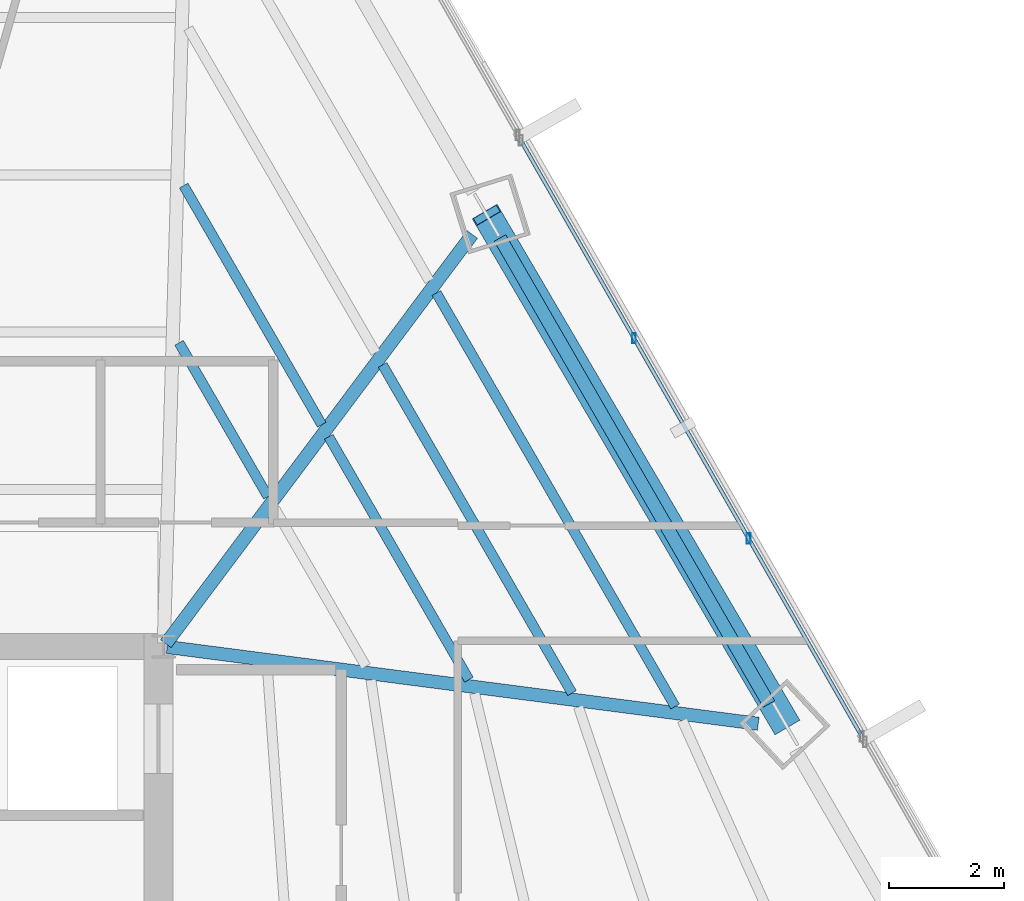
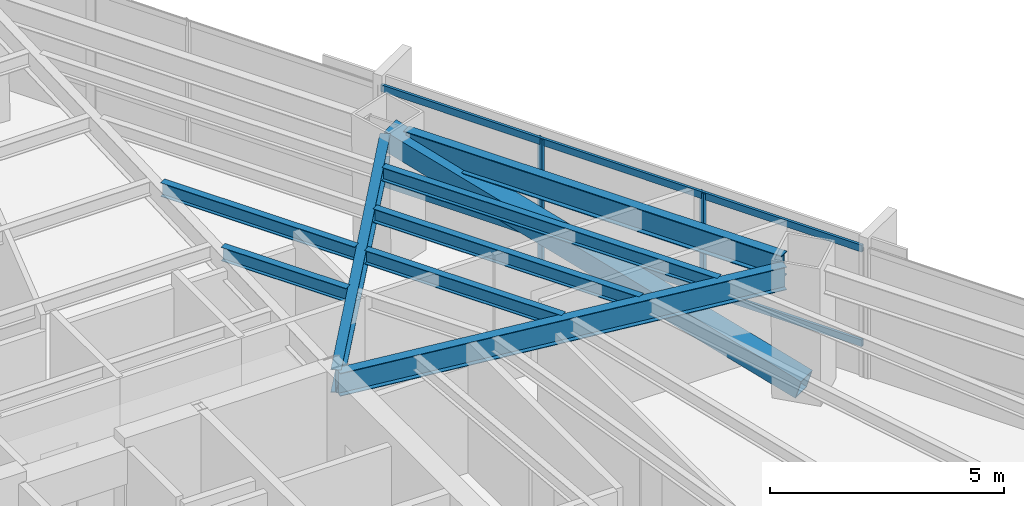
# One storey, part 22 of 36: 8 beams, 5 members, 1 element without a shape of its own.
"""IFC4 building model written with IfcOpenShell, lengths in metres."""

from ifc_helpers import new_model, si_unit, direction, frame, origin, origin_2d, place, context, subcontext, project, spatial, hollow_rectangle, i_section, extrude, source, transform, mapped, material, material_profile, profile_set, type_object, type_shapes, element, aggregate, save


model = new_model("IFC4")

# Units and contexts
model_context = context("Model", 3, precision=1e-05, world=origin(), true_north=direction((0.0, 1.0)))
body_context = subcontext(model_context, "Body", "Model", "MODEL_VIEW")
ifc_project = project(units=[si_unit("LENGTHUNIT", "METRE"), si_unit("AREAUNIT", "SQUARE_METRE"), si_unit("VOLUMEUNIT", "CUBIC_METRE"), si_unit("PLANEANGLEUNIT", "RADIAN"), si_unit("MASSUNIT", "GRAM", prefix="KILO")], contexts=[model_context])

# Site, building, storey
site_placement = place(None, origin())
site = spatial("IfcSite", under=ifc_project, at=site_placement, CompositionType="ELEMENT")
building_placement = place(site_placement, origin())
building = spatial("IfcBuilding", under=site, at=building_placement, Name="Caelisora Broadcast Tower", CompositionType="ELEMENT")
storey_placement = place(building_placement, frame((0.0, 0.0, 79.85009765625)))
storey = spatial("IfcBuildingStorey", under=building, at=storey_placement, Name="L20", CompositionType="ELEMENT", Elevation=79.85009765625)

# Beams
ifc_material_1 = material(Name="Steel Grade 350 (AS/NZS 3679.1)", Category="steel")
ifc_material_profile_1 = material_profile(ifc_material_1, i_section(OverallWidth=0.172119140625, OverallDepth=0.358642578125, WebThickness=0.008056640625, FlangeThickness=0.012939453125, at=origin_2d()), Name="Steel Grade 350 (AS/NZS 3679.1)")
ifc_profile_set_1 = profile_set([ifc_material_profile_1], Name="Steel Grade 350 (AS/NZS 3679.1)")
beam_type_1 = type_object("IfcBeamType", Name="SB02", PredefinedType="JOIST", material=ifc_profile_set_1)
shared_shape_1 = source(origin(), body_context, "Body", "SweptSolid", [
    extrude(i_section(OverallWidth=0.172119140625, OverallDepth=0.358642578125, WebThickness=0.008056640625, FlangeThickness=0.012939453125, at=origin_2d()), origin(), (0.0, 0.0, 1.0), 8.285888671875),
])
beam_1_placement = place(storey_placement, frame((54.373779296875, 28.959228515625, 3.220703125), z_axis=(-0.499989412232, 0.866031516549, 0.0), x_axis=(-0.866031516549, -0.499989412232, 0.0)))
element("IfcBeam", 1, at=beam_1_placement, inside=storey, type_object=beam_type_1, Name="L20 beam SB02", PredefinedType="JOIST", context=body_context, shape_type="MappedRepresentation", body=[
    mapped(shared_shape_1, transform((0.0, 0.0, 0.0), scale=1.0)),
])
ifc_material_profile_2 = material_profile(ifc_material_1, i_section(OverallWidth=0.22900390625, OverallDepth=0.611572265625, WebThickness=0.011962890625, FlangeThickness=0.01953125, at=origin_2d()), Name="Steel Grade 350 (AS/NZS 3679.1)")
ifc_profile_set_2 = profile_set([ifc_material_profile_2], Name="Steel Grade 350 (AS/NZS 3679.1)")
beam_type_2 = type_object("IfcBeamType", Name="PG03", PredefinedType="BEAM", material=ifc_profile_set_2)
shared_shape_2 = source(origin(), body_context, "Body", "SweptSolid", [
    extrude(i_section(OverallWidth=0.22900390625, OverallDepth=0.611572265625, WebThickness=0.011962890625, FlangeThickness=0.01953125, at=origin_2d()), origin(), (0.0, 0.0, 1.0), 9.336669921875),
])
type_shapes(beam_type_2, [shared_shape_2])
beam_2_placement = place(storey_placement, frame((56.0029296875, 29.00341796875, 3.093994140625), z_axis=(-0.499983508464, 0.866034924968, 0.0), x_axis=(-0.866034924968, -0.499983508464, 0.0)))
element("IfcBeam", 2, at=beam_2_placement, inside=storey, type_object=beam_type_2, Name="L20 beam PG03", PredefinedType="BEAM", context=body_context, shape_type="MappedRepresentation", body=[
    mapped(shared_shape_2, transform((0.0, 0.0, 0.0), scale=1.0)),
])
ifc_material_profile_3 = material_profile(ifc_material_1, i_section(OverallWidth=0.22802734375, OverallDepth=0.602294921875, WebThickness=0.010498046875, FlangeThickness=0.014892578125, at=origin_2d()), Name="Steel Grade 350 (AS/NZS 3679.1)")
ifc_profile_set_3 = profile_set([ifc_material_profile_3], Name="Steel Grade 350 (AS/NZS 3679.1)")
beam_type_3 = type_object("IfcBeamType", Name="PG04", PredefinedType="BEAM", material=ifc_profile_set_3)
shared_shape_3 = source(origin(), body_context, "Body", "SweptSolid", [
    extrude(i_section(OverallWidth=0.22802734375, OverallDepth=0.602294921875, WebThickness=0.010498046875, FlangeThickness=0.014892578125, at=origin_2d()), origin(), (0.0, 0.0, 1.0), 8.873046875),
])
beam_3_placement = place(storey_placement, frame((45.535888671875, 30.048095703125, 3.098876953125), z_axis=(0.599224892017, 0.800580744702, 0.0), x_axis=(-0.800580744702, 0.599224892017, 0.0)))
element("IfcBeam", 3, at=beam_3_placement, inside=storey, type_object=beam_type_3, Name="L20 beam PG04", PredefinedType="BEAM", context=body_context, shape_type="MappedRepresentation", body=[
    mapped(shared_shape_3, transform((0.0, 0.0, 0.0), scale=1.0)),
])
shared_shape_4 = source(origin(), body_context, "Body", "SweptSolid", [
    extrude(i_section(OverallWidth=0.22802734375, OverallDepth=0.602294921875, WebThickness=0.010498046875, FlangeThickness=0.014892578125, at=origin_2d()), origin(), (0.0, 0.0, 1.0), 10.343017578125),
])
type_shapes(beam_type_3, [shared_shape_3, shared_shape_4])
beam_4_placement = place(storey_placement, frame((45.5595703125, 29.9921875, 3.098876953125), z_axis=(0.991660324062, -0.128879019551, 0.0), x_axis=(0.128879019551, 0.991660324062, 0.0)))
element("IfcBeam", 4, at=beam_4_placement, inside=storey, type_object=beam_type_3, Name="L20 beam PG04", PredefinedType="BEAM", context=body_context, shape_type="MappedRepresentation", body=[
    mapped(shared_shape_4, transform((0.0, 0.0, 0.0), scale=1.0)),
])
shared_shape_5 = source(origin(), body_context, "Body", "SweptSolid", [
    extrude(i_section(OverallWidth=0.172119140625, OverallDepth=0.358642578125, WebThickness=0.008056640625, FlangeThickness=0.012939453125, at=origin_2d()), origin(), (0.0, 0.0, 1.0), 3.083740234375),
])
beam_5_placement = place(storey_placement, frame((47.3076171875, 32.6005859375, 3.220703125), z_axis=(-0.499962318598, 0.866047158059, 0.0), x_axis=(-0.866047158059, -0.499962318598, 0.0)))
element("IfcBeam", 5, at=beam_5_placement, inside=storey, type_object=beam_type_1, Name="L20 beam SB02", PredefinedType="JOIST", context=body_context, shape_type="MappedRepresentation", body=[
    mapped(shared_shape_5, transform((0.0, 0.0, 0.0), scale=1.0)),
])
shared_shape_6 = source(origin(), body_context, "Body", "SweptSolid", [
    extrude(i_section(OverallWidth=0.172119140625, OverallDepth=0.358642578125, WebThickness=0.008056640625, FlangeThickness=0.012939453125, at=origin_2d()), origin(), (0.0, 0.0, 1.0), 4.793212890625),
])
beam_6_placement = place(storey_placement, frame((48.24169921875, 33.8486328125, 3.220703125), z_axis=(-0.49997376998, 0.866040547164, 0.0), x_axis=(-0.866040547164, -0.49997376998, 0.0)))
element("IfcBeam", 6, at=beam_6_placement, inside=storey, type_object=beam_type_1, Name="L20 beam SB02", PredefinedType="JOIST", context=body_context, shape_type="MappedRepresentation", body=[
    mapped(shared_shape_6, transform((0.0, 0.0, 0.0), scale=1.0)),
])
shared_shape_7 = source(origin(), body_context, "Body", "SweptSolid", [
    extrude(i_section(OverallWidth=0.172119140625, OverallDepth=0.358642578125, WebThickness=0.008056640625, FlangeThickness=0.012939453125, at=origin_2d()), origin(), (0.0, 0.0, 1.0), 4.866943359375),
])
beam_7_placement = place(storey_placement, frame((50.796142578125, 29.42431640625, 3.220703125), z_axis=(-0.499985889493, 0.866033550336, 0.0), x_axis=(-0.866033550336, -0.499985889493, 0.0)))
element("IfcBeam", 7, at=beam_7_placement, inside=storey, type_object=beam_type_1, Name="L20 beam SB02", PredefinedType="JOIST", context=body_context, shape_type="MappedRepresentation", body=[
    mapped(shared_shape_7, transform((0.0, 0.0, 0.0), scale=1.0)),
])
shared_shape_8 = source(origin(), body_context, "Body", "SweptSolid", [
    extrude(i_section(OverallWidth=0.172119140625, OverallDepth=0.358642578125, WebThickness=0.008056640625, FlangeThickness=0.012939453125, at=origin_2d()), origin(), (0.0, 0.0, 1.0), 6.576416015625),
])
type_shapes(beam_type_1, [shared_shape_1, shared_shape_5, shared_shape_6, shared_shape_7, shared_shape_8])
beam_8_placement = place(storey_placement, frame((52.585205078125, 29.191650390625, 3.220703125), z_axis=(-0.500015951506, 0.866016193982, 0.0), x_axis=(-0.866016193982, -0.500015951506, 0.0)))
element("IfcBeam", 8, at=beam_8_placement, inside=storey, type_object=beam_type_1, Name="L20 beam SB02", PredefinedType="JOIST", context=body_context, shape_type="MappedRepresentation", body=[
    mapped(shared_shape_8, transform((0.0, 0.0, 0.0), scale=1.0)),
])

# Member
ifc_material_2 = material(Name="Steel Grade 450 L15 (AS/NZS 3678)", Category="steel")
ifc_material_profile_4 = material_profile(ifc_material_2, hollow_rectangle(XDim=0.5, YDim=0.5, WallThickness=0.02001953125, at=origin_2d()), Name="Steel Grade 450 L15 (AS/NZS 3678)")
ifc_profile_set_4 = profile_set([ifc_material_profile_4], Name="Steel Grade 450 L15 (AS/NZS 3678)")
member_type_1 = type_object("IfcMemberType", Name="BR02", PredefinedType="BRACE", material=ifc_profile_set_4)
shared_shape_9 = source(origin(), body_context, "Body", "SweptSolid", [
    extrude(hollow_rectangle(XDim=0.5, YDim=0.5, WallThickness=0.02001953125, at=origin_2d()), origin(), (0.0, 0.0, 1.0), 10.671142578125),
])
type_shapes(member_type_1, [shared_shape_9])
member_1_placement = place(storey_placement, frame((56.287353515625, 28.655517578125, 0.099853515625), z_axis=(-0.485694018015, 0.827686301274, 0.281134678665), x_axis=(-0.862471210533, -0.506106126224, 0.0)))
element("IfcMember", 9, at=member_1_placement, inside=storey, type_object=member_type_1, Name="L20 perimeter brace BR02", PredefinedType="BRACE", context=body_context, shape_type="MappedRepresentation", body=[
    mapped(shared_shape_9, transform((0.0, 0.0, 0.0), scale=1.0)),
])

# Curtain wall, members
ifc_material_3 = material(Name="Unitised Aluminium Insulated Shadow-Box Spandrel Curtain Wall", Category="aluminium")
curtain_wall_type = type_object("IfcCurtainWallType", Name="CW-SP1", PredefinedType="NOTDEFINED", material=ifc_material_3)
curtain_wall_placement = place(storey_placement, origin())
curtain_wall = element("IfcCurtainWall", 10, at=curtain_wall_placement, inside=storey, type_object=curtain_wall_type, Name="L20 curtain wall CW-SP1", PredefinedType="NOTDEFINED")
ifc_material_4 = material(Name="Aluminium 6063-T6 Anodised Terracotta Bronze", Category="aluminium")
ifc_material_profile_5 = material_profile(ifc_material_4, hollow_rectangle(XDim=0.06494140625, YDim=0.179931640625, WallThickness=0.00341796875, at=origin_2d()), Name="Aluminium 6063-T6 Anodised Terracotta Bronze")
ifc_profile_set_5 = profile_set([ifc_material_profile_5], Name="Aluminium 6063-T6 Anodised Terracotta Bronze")
member_type_2 = type_object("IfcMemberType", Name="CWM-02", PredefinedType="MULLION", material=ifc_profile_set_5)
shared_shape_10 = source(origin(), body_context, "Body", "SweptSolid", [
    extrude(hollow_rectangle(XDim=0.06494140625, YDim=0.179931640625, WallThickness=0.00341796875, at=origin_2d()), origin(), (0.0, 0.0, 1.0), 3.39990234375),
])
type_shapes(member_type_2, [shared_shape_10])
member_2_placement = place(storey_placement, frame((53.660888671875, 35.34912109375, 0.0), z_axis=(0.0, 0.0, 1.0), x_axis=(1.0, 0.0, 0.0)))
member_2 = element("IfcMember", 11, at=member_2_placement, type_object=member_type_2, Name="L20-CW-B02 mullion #1", PredefinedType="MULLION", context=body_context, shape_type="MappedRepresentation", body=[
    mapped(shared_shape_10, transform((0.0, 0.0, 0.0), scale=1.0)),
])
member_3_placement = place(storey_placement, frame((55.649658203125, 31.873046875, 0.0), z_axis=(0.0, 0.0, 1.0), x_axis=(1.0, 0.0, 0.0)))
member_3 = element("IfcMember", 12, at=member_3_placement, type_object=member_type_2, Name="L20-CW-B02 mullion #2", PredefinedType="MULLION", context=body_context, shape_type="MappedRepresentation", body=[
    mapped(shared_shape_10, transform((0.0, 0.0, 0.0), scale=1.0)),
])
ifc_material_profile_6 = material_profile(ifc_material_4, hollow_rectangle(XDim=0.06494140625, YDim=0.179931640625, WallThickness=0.00341796875, at=origin_2d()), Name="Aluminium 6063-T6 Anodised Terracotta Bronze")
ifc_profile_set_6 = profile_set([ifc_material_profile_6], Name="Aluminium 6063-T6 Anodised Terracotta Bronze")
member_type_3 = type_object("IfcMemberType", Name="CWT-01", PredefinedType="USERDEFINED", material=ifc_profile_set_6)
shared_shape_11 = source(origin(), body_context, "Body", "SweptSolid", [
    extrude(hollow_rectangle(XDim=0.06494140625, YDim=0.179931640625, WallThickness=0.00341796875, at=origin_2d()), origin(), (0.0, 0.0, 1.0), 11.9140625),
])
type_shapes(member_type_3, [shared_shape_11])
member_4_placement = place(storey_placement, frame((51.697021484375, 38.78173828125, 0.849853515625), z_axis=(0.496602301372, -0.867978199192, 0.0), x_axis=(0.867978199192, 0.496602301372, 0.0)))
member_4 = element("IfcMember", 13, at=member_4_placement, type_object=member_type_3, Name="L20-CW-B02 transom #1", ObjectType="TRANSOM", PredefinedType="USERDEFINED", context=body_context, shape_type="MappedRepresentation", body=[
    mapped(shared_shape_11, transform((0.0, 0.0, 0.0), scale=1.0)),
])
member_5_placement = place(storey_placement, frame((51.697021484375, 38.78173828125, 3.31982421875), z_axis=(0.496602301372, -0.867978199192, 0.0), x_axis=(0.867978199192, 0.496602301372, 0.0)))
member_5 = element("IfcMember", 14, at=member_5_placement, type_object=member_type_3, Name="L20-CW-B02 transom #2", ObjectType="TRANSOM", PredefinedType="USERDEFINED", context=body_context, shape_type="MappedRepresentation", body=[
    mapped(shared_shape_11, transform((0.0, 0.0, 0.0), scale=1.0)),
])
aggregate(curtain_wall, [member_2, member_3, member_4, member_5])

save(model, "model.ifc")
